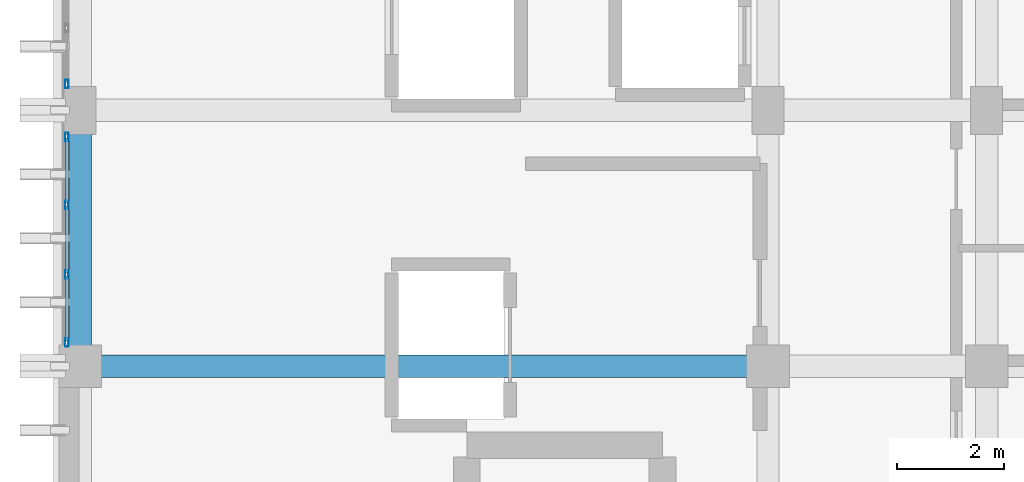
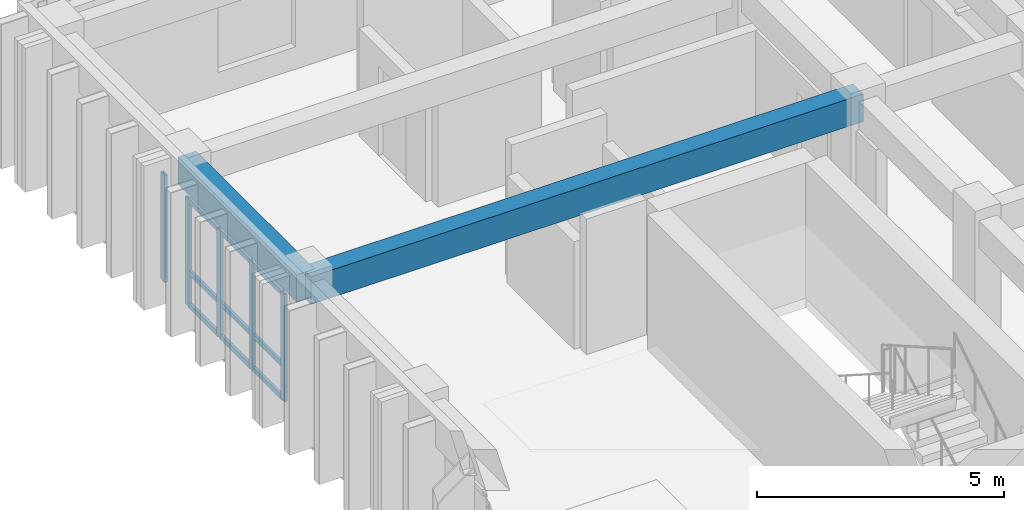
# One storey, part 46 of 82: 14 members, 2 beams, 2 elements without a shape of their own.
"""IFC4 building model written with IfcOpenShell, lengths in metres."""

from ifc_helpers import new_model, si_unit, direction, frame, origin, origin_2d, place, context, subcontext, project, spatial, rectangle, hollow_rectangle, extrude, material, layer, layer_set, material_profile, profile_set, type_object, element, aggregate, save


model = new_model("IFC4")

# Units and contexts
model_context = context("Model", 3, precision=1e-05, world=origin(), true_north=direction((0.0, 1.0)))
body_context = subcontext(model_context, "Body", "Model", "MODEL_VIEW")
ifc_project = project(units=[si_unit("LENGTHUNIT", "METRE"), si_unit("AREAUNIT", "SQUARE_METRE"), si_unit("VOLUMEUNIT", "CUBIC_METRE"), si_unit("PLANEANGLEUNIT", "RADIAN"), si_unit("MASSUNIT", "GRAM", prefix="KILO")], contexts=[model_context])

# Site, building, storey
site_placement = place(None, origin())
site = spatial("IfcSite", under=ifc_project, at=site_placement, CompositionType="ELEMENT")
building_placement = place(site_placement, origin())
building = spatial("IfcBuilding", under=site, at=building_placement, Name="Nakhvara Creek Congress Hotel", CompositionType="ELEMENT")
storey_placement = place(building_placement, frame((0.0, 0.0, 21.0)))
storey = spatial("IfcBuildingStorey", under=building, at=storey_placement, Name="L04", CompositionType="ELEMENT", Elevation=21.0)

# Beams
ifc_material_1 = material(Name="Concrete C40/50", Category="concrete")
ifc_material_profile_1 = material_profile(ifc_material_1, rectangle(XDim=0.419921875, YDim=0.679931640625, at=origin_2d()), Name="RC-BM 420x680", Category="LoadBearing")
ifc_profile_set_1 = profile_set([ifc_material_profile_1], Name="Concrete C40/50")
beam_type = type_object("IfcBeamType", Name="BM-RC-420X680", PredefinedType="BEAM", material=ifc_profile_set_1)
beam_1_placement = place(storey_placement, frame((149.449951171875, 115.199951171875, 3.0), z_axis=(1.0, 0.0, 0.0), x_axis=(0.0, 1.0, 0.0)))
element("IfcBeam", 1, at=beam_1_placement, inside=storey, type_object=beam_type, Name="Beam B11-L04-1936", PredefinedType="BEAM", context=body_context, shape_type="SweptSolid", body=[
    extrude(rectangle(XDim=0.419921875, YDim=0.679931640625, at=origin_2d()), origin(), (0.0, 0.0, 1.0), 12.900146484375),
])
beam_2_placement = place(storey_placement, frame((149.449951171875, 115.199951171875, 3.0), z_axis=(0.0, 1.0, 0.0), x_axis=(-1.0, 0.0, 0.0)))
element("IfcBeam", 2, at=beam_2_placement, inside=storey, type_object=beam_type, Name="Beam B11-L04-1938", PredefinedType="BEAM", context=body_context, shape_type="SweptSolid", body=[
    extrude(rectangle(XDim=0.419921875, YDim=0.679931640625, at=origin_2d()), origin(), (0.0, 0.0, 1.0), 4.800048828125),
])

# Curtain wall, members
ifc_material_2 = material(Name="Bronze-anodised aluminium AW-6063-T6 and double-silver low-E glass", Category="aluminium")
ifc_layer = layer(ifc_material_2, 0.199951171875)
ifc_layer_set = layer_set([ifc_layer], Name="Bronze-anodised aluminium AW-6063-T6 and double-silver low-E glass")
curtain_wall_type = type_object("IfcCurtainWallType", Name="CW-HTL-UNIT", PredefinedType="USERDEFINED", material=ifc_layer_set)
curtain_wall_1_placement = place(storey_placement, origin())
curtain_wall_1 = element("IfcCurtainWall", 3, at=curtain_wall_1_placement, inside=storey, type_object=curtain_wall_type, Name="Curtain Wall CW199", ObjectType="UNITISED", PredefinedType="USERDEFINED")
ifc_material_3 = material(Name="Bronze-anodised aluminium AW-6063-T6", Category="aluminium")
ifc_material_profile_2 = material_profile(ifc_material_3, hollow_rectangle(XDim=0.06494140625, YDim=0.159912109375, WallThickness=0.00390625, at=origin_2d()), Name="ALU-MULL 65x160x4", Category="LoadBearing")
ifc_profile_set_2 = profile_set([ifc_material_profile_2], Name="Bronze-anodised aluminium AW-6063-T6")
member_type_1 = type_object("IfcMemberType", Name="CW-MULL-160", PredefinedType="MULLION", material=ifc_profile_set_2)
member_1_placement = place(storey_placement, frame((149.199951171875, 115.6474609375, 0.0), z_axis=(0.0, 0.0, 1.0), x_axis=(-1.0, 0.0, 0.0)))
member_1 = element("IfcMember", 4, at=member_1_placement, type_object=member_type_1, Name="CW199 mullion 1", PredefinedType="MULLION", context=body_context, shape_type="SweptSolid", body=[
    extrude(hollow_rectangle(XDim=0.06494140625, YDim=0.159912109375, WallThickness=0.00390625, at=origin_2d()), origin(), (0.0, 0.0, 1.0), 2.652099609375),
])
member_2_placement = place(storey_placement, frame((149.199951171875, 116.921630859375, 0.0), z_axis=(0.0, 0.0, 1.0), x_axis=(-1.0, 0.0, 0.0)))
member_2 = element("IfcMember", 5, at=member_2_placement, type_object=member_type_1, Name="CW199 mullion 2", PredefinedType="MULLION", context=body_context, shape_type="SweptSolid", body=[
    extrude(hollow_rectangle(XDim=0.06494140625, YDim=0.159912109375, WallThickness=0.00390625, at=origin_2d()), origin(), (0.0, 0.0, 1.0), 2.652099609375),
])
member_3_placement = place(storey_placement, frame((149.199951171875, 118.228271484375, 0.0), z_axis=(0.0, 0.0, 1.0), x_axis=(-1.0, 0.0, 0.0)))
member_3 = element("IfcMember", 6, at=member_3_placement, type_object=member_type_1, Name="CW199 mullion 3", PredefinedType="MULLION", context=body_context, shape_type="SweptSolid", body=[
    extrude(hollow_rectangle(XDim=0.06494140625, YDim=0.159912109375, WallThickness=0.00390625, at=origin_2d()), origin(), (0.0, 0.0, 1.0), 2.652099609375),
])
member_4_placement = place(storey_placement, frame((149.199951171875, 119.50244140625, 0.0), z_axis=(0.0, 0.0, 1.0), x_axis=(-1.0, 0.0, 0.0)))
member_4 = element("IfcMember", 7, at=member_4_placement, type_object=member_type_1, Name="CW199 mullion 4", PredefinedType="MULLION", context=body_context, shape_type="SweptSolid", body=[
    extrude(hollow_rectangle(XDim=0.06494140625, YDim=0.159912109375, WallThickness=0.00390625, at=origin_2d()), origin(), (0.0, 0.0, 1.0), 2.652099609375),
])

# Curtain wall, member
curtain_wall_2_placement = place(storey_placement, origin())
curtain_wall_2 = element("IfcCurtainWall", 8, at=curtain_wall_2_placement, inside=storey, type_object=curtain_wall_type, Name="Curtain Wall CW201", ObjectType="UNITISED", PredefinedType="USERDEFINED")
member_5_placement = place(storey_placement, frame((149.199951171875, 120.49755859375, 0.0), z_axis=(0.0, 0.0, 1.0), x_axis=(-1.0, 0.0, 0.0)))
member_5 = element("IfcMember", 9, at=member_5_placement, type_object=member_type_1, Name="CW201 mullion 1", PredefinedType="MULLION", context=body_context, shape_type="SweptSolid", body=[
    extrude(hollow_rectangle(XDim=0.06494140625, YDim=0.159912109375, WallThickness=0.00390625, at=origin_2d()), origin(), (0.0, 0.0, 1.0), 2.652099609375),
])
aggregate(curtain_wall_2, [member_5])

# Member
ifc_material_profile_3 = material_profile(ifc_material_3, hollow_rectangle(XDim=0.06494140625, YDim=0.1201171875, WallThickness=0.00390625, at=origin_2d()), Name="ALU-TRAN 65x120x4", Category="LoadBearing")
ifc_profile_set_3 = profile_set([ifc_material_profile_3], Name="Bronze-anodised aluminium AW-6063-T6")
member_type_2 = type_object("IfcMemberType", Name="CW-TRAN-120", PredefinedType="USERDEFINED", material=ifc_profile_set_3)
member_6_placement = place(storey_placement, frame((149.199951171875, 115.679931640625, 0.032470703125), z_axis=(0.0, 1.0, 0.0), x_axis=(-1.0, 0.0, 0.0)))
member_6 = element("IfcMember", 10, at=member_6_placement, type_object=member_type_2, Name="CW199 transom 1.1", ObjectType="TRANSOM", PredefinedType="USERDEFINED", context=body_context, shape_type="SweptSolid", body=[
    extrude(hollow_rectangle(XDim=0.06494140625, YDim=0.1201171875, WallThickness=0.00390625, at=origin_2d()), origin(), (0.0, 0.0, 1.0), 1.209228515625),
])

member_7_placement = place(storey_placement, frame((149.199951171875, 115.679931640625, 0.85009765625), z_axis=(0.0, 1.0, 0.0), x_axis=(-1.0, 0.0, 0.0)))
member_7 = element("IfcMember", 11, at=member_7_placement, type_object=member_type_2, Name="CW199 transom 1.2", ObjectType="TRANSOM", PredefinedType="USERDEFINED", context=body_context, shape_type="SweptSolid", body=[
    extrude(hollow_rectangle(XDim=0.06494140625, YDim=0.1201171875, WallThickness=0.00390625, at=origin_2d()), origin(), (0.0, 0.0, 1.0), 1.209228515625),
])

member_8_placement = place(storey_placement, frame((149.199951171875, 115.679931640625, 2.619384765625), z_axis=(0.0, 1.0, 0.0), x_axis=(-1.0, 0.0, 0.0)))
member_8 = element("IfcMember", 12, at=member_8_placement, type_object=member_type_2, Name="CW199 transom 1.3", ObjectType="TRANSOM", PredefinedType="USERDEFINED", context=body_context, shape_type="SweptSolid", body=[
    extrude(hollow_rectangle(XDim=0.06494140625, YDim=0.1201171875, WallThickness=0.00390625, at=origin_2d()), origin(), (0.0, 0.0, 1.0), 1.209228515625),
])

member_9_placement = place(storey_placement, frame((149.199951171875, 116.9541015625, 0.032470703125), z_axis=(0.0, 1.0, 0.0), x_axis=(-1.0, 0.0, 0.0)))
member_9 = element("IfcMember", 13, at=member_9_placement, type_object=member_type_2, Name="CW199 transom 2.1", ObjectType="TRANSOM", PredefinedType="USERDEFINED", context=body_context, shape_type="SweptSolid", body=[
    extrude(hollow_rectangle(XDim=0.06494140625, YDim=0.1201171875, WallThickness=0.00390625, at=origin_2d()), origin(), (0.0, 0.0, 1.0), 1.24169921875),
])

member_10_placement = place(storey_placement, frame((149.199951171875, 116.9541015625, 0.85009765625), z_axis=(0.0, 1.0, 0.0), x_axis=(-1.0, 0.0, 0.0)))
member_10 = element("IfcMember", 14, at=member_10_placement, type_object=member_type_2, Name="CW199 transom 2.2", ObjectType="TRANSOM", PredefinedType="USERDEFINED", context=body_context, shape_type="SweptSolid", body=[
    extrude(hollow_rectangle(XDim=0.06494140625, YDim=0.1201171875, WallThickness=0.00390625, at=origin_2d()), origin(), (0.0, 0.0, 1.0), 1.24169921875),
])

member_11_placement = place(storey_placement, frame((149.199951171875, 116.9541015625, 2.619384765625), z_axis=(0.0, 1.0, 0.0), x_axis=(-1.0, 0.0, 0.0)))
member_11 = element("IfcMember", 15, at=member_11_placement, type_object=member_type_2, Name="CW199 transom 2.3", ObjectType="TRANSOM", PredefinedType="USERDEFINED", context=body_context, shape_type="SweptSolid", body=[
    extrude(hollow_rectangle(XDim=0.06494140625, YDim=0.1201171875, WallThickness=0.00390625, at=origin_2d()), origin(), (0.0, 0.0, 1.0), 1.24169921875),
])

member_12_placement = place(storey_placement, frame((149.199951171875, 118.2607421875, 0.032470703125), z_axis=(0.0, 1.0, 0.0), x_axis=(-1.0, 0.0, 0.0)))
member_12 = element("IfcMember", 16, at=member_12_placement, type_object=member_type_2, Name="CW199 transom 3.1", ObjectType="TRANSOM", PredefinedType="USERDEFINED", context=body_context, shape_type="SweptSolid", body=[
    extrude(hollow_rectangle(XDim=0.06494140625, YDim=0.1201171875, WallThickness=0.00390625, at=origin_2d()), origin(), (0.0, 0.0, 1.0), 1.209228515625),
])

member_13_placement = place(storey_placement, frame((149.199951171875, 118.2607421875, 0.85009765625), z_axis=(0.0, 1.0, 0.0), x_axis=(-1.0, 0.0, 0.0)))
member_13 = element("IfcMember", 17, at=member_13_placement, type_object=member_type_2, Name="CW199 transom 3.2", ObjectType="TRANSOM", PredefinedType="USERDEFINED", context=body_context, shape_type="SweptSolid", body=[
    extrude(hollow_rectangle(XDim=0.06494140625, YDim=0.1201171875, WallThickness=0.00390625, at=origin_2d()), origin(), (0.0, 0.0, 1.0), 1.209228515625),
])

member_14_placement = place(storey_placement, frame((149.199951171875, 118.2607421875, 2.619384765625), z_axis=(0.0, 1.0, 0.0), x_axis=(-1.0, 0.0, 0.0)))
member_14 = element("IfcMember", 18, at=member_14_placement, type_object=member_type_2, Name="CW199 transom 3.3", ObjectType="TRANSOM", PredefinedType="USERDEFINED", context=body_context, shape_type="SweptSolid", body=[
    extrude(hollow_rectangle(XDim=0.06494140625, YDim=0.1201171875, WallThickness=0.00390625, at=origin_2d()), origin(), (0.0, 0.0, 1.0), 1.209228515625),
])

aggregate(curtain_wall_1, [member_1, member_2, member_3, member_4, member_6, member_7, member_8, member_9, member_10, member_11, member_12, member_13, member_14])

save(model, "model.ifc")
